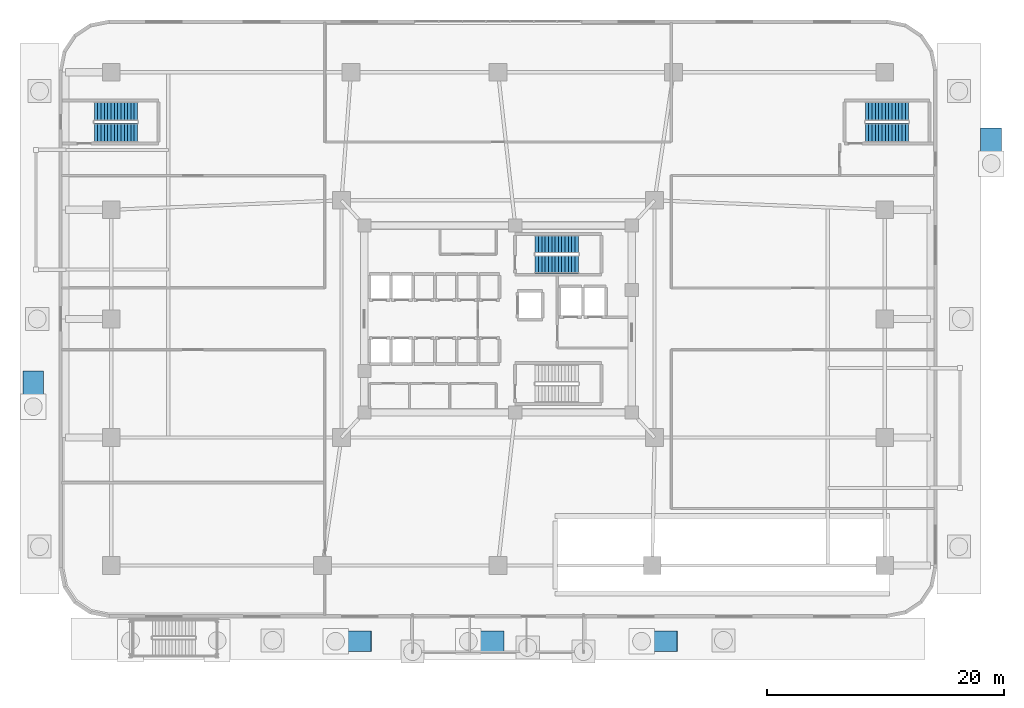
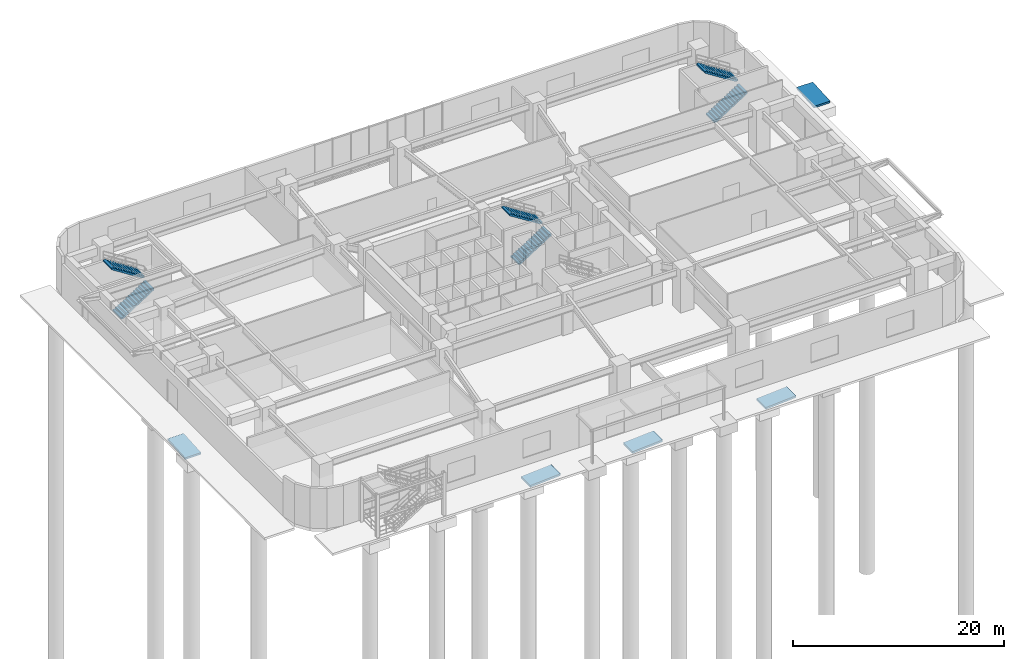
# One storey, part 15 of 18: 6 stair flights, 5 ramp flights, 8 elements without a shape of their own.
"""IFC4 building model written with IfcOpenShell, lengths in metres."""

from ifc_helpers import new_model, si_unit, direction, frame, origin, place, context, subcontext, project, spatial, polyline, outline, extrude, material, layer, layer_set, type_object, element, aggregate, save


model = new_model("IFC4")

# Units and contexts
model_context = context("Model", 3, precision=1e-05, world=origin(), true_north=direction((0.0, 1.0)))
body_context = subcontext(model_context, "Body", "Model", "MODEL_VIEW")
ifc_project = project(units=[si_unit("LENGTHUNIT", "METRE"), si_unit("AREAUNIT", "SQUARE_METRE"), si_unit("VOLUMEUNIT", "CUBIC_METRE"), si_unit("PLANEANGLEUNIT", "RADIAN"), si_unit("MASSUNIT", "GRAM", prefix="KILO")], contexts=[model_context])

# Site, building, storey
site_placement = place(None, origin())
site = spatial("IfcSite", under=ifc_project, at=site_placement, CompositionType="ELEMENT")
building_placement = place(site_placement, origin())
building = spatial("IfcBuilding", under=site, at=building_placement, Name="Zulverin Broadcast Headquarters", CompositionType="ELEMENT")
storey_placement = place(building_placement, origin())
storey = spatial("IfcBuildingStorey", under=building, at=storey_placement, Name="L00", CompositionType="ELEMENT", Elevation=0.0)

# Stair, stair flights
ifc_material = material(Name="Concrete C40/50", Category="concrete")
stair_type_1 = type_object("IfcStairType", Name="ST-CORE-1500", PredefinedType="HALF_TURN_STAIR", material=ifc_material)
stair_1_placement = place(storey_placement, origin())
stair_1 = element("IfcStair", 1, at=stair_1_placement, inside=storey, type_object=stair_type_1, Name="L00 Core Exit Stair ST-1", PredefinedType="HALF_TURN_STAIR")
stair_flight_type_1 = type_object("IfcStairFlightType", Name="SF-CORE-1500", PredefinedType="STRAIGHT", material=ifc_material)
stair_flight_1_placement = place(storey_placement, frame((40.1298828125, 29.800048828125, 0.0), z_axis=(0.0, 0.0, 1.0), x_axis=(1.0, 0.0, 0.0)))
stair_flight_1 = element("IfcStairFlight", 2, at=stair_flight_1_placement, type_object=stair_flight_type_1, Name="ST-1 flight 1", NumberOfRisers=14, NumberOfTreads=13, PredefinedType="STRAIGHT", RiserHeight=0.178571429, TreadLength=0.28, context=body_context, shape_type="SweptSolid", body=[
    extrude(outline(polyline([(0.0, 0.0), (0.0, 0.178466796875), (0.280029296875, 0.178466796875), (0.280029296875, 0.357177734375), (0.56005859375, 0.357177734375), (0.56005859375, 0.53564453125), (0.840087890625, 0.53564453125), (0.840087890625, 0.71435546875), (1.1201171875, 0.71435546875), (1.1201171875, 0.892822265625), (1.39990234375, 0.892822265625), (1.39990234375, 1.071533203125), (1.679931640625, 1.071533203125), (1.679931640625, 1.25), (1.9599609375, 1.25), (1.9599609375, 1.428466796875), (2.239990234375, 1.428466796875), (2.239990234375, 1.607177734375), (2.52001953125, 1.607177734375), (2.52001953125, 1.78564453125), (2.800048828125, 1.78564453125), (2.800048828125, 1.96435546875), (3.080078125, 1.96435546875), (3.080078125, 2.142822265625), (3.360107421875, 2.142822265625), (3.360107421875, 2.321533203125), (3.639892578125, 2.321533203125), (3.639892578125, 2.5), (3.639892578125, 2.1435546875), (0.27880859375, 0.0), (0.0, 0.0)])), frame((0.0, 0.75, 0.0), z_axis=(0.0, -1.0, 0.0), x_axis=(1.0, 0.0, 0.0)), (0.0, 0.0, 1.0), 1.5),
])
stair_flight_2_placement = place(storey_placement, frame((43.77001953125, 31.5, 2.5), z_axis=(0.0, 0.0, 1.0), x_axis=(-1.0, 0.0, 0.0)))
stair_flight_2 = element("IfcStairFlight", 3, at=stair_flight_2_placement, type_object=stair_flight_type_1, Name="ST-1 flight 2", NumberOfRisers=14, NumberOfTreads=13, PredefinedType="STRAIGHT", RiserHeight=0.178571429, TreadLength=0.28, context=body_context, shape_type="SweptSolid", body=[
    extrude(outline(polyline([(0.0, 0.0), (0.0, 0.178466796875), (0.280029296875, 0.178466796875), (0.280029296875, 0.357177734375), (0.56005859375, 0.357177734375), (0.56005859375, 0.53564453125), (0.840087890625, 0.53564453125), (0.840087890625, 0.71435546875), (1.1201171875, 0.71435546875), (1.1201171875, 0.892822265625), (1.39990234375, 0.892822265625), (1.39990234375, 1.071533203125), (1.679931640625, 1.071533203125), (1.679931640625, 1.25), (1.9599609375, 1.25), (1.9599609375, 1.428466796875), (2.239990234375, 1.428466796875), (2.239990234375, 1.607177734375), (2.52001953125, 1.607177734375), (2.52001953125, 1.78564453125), (2.800048828125, 1.78564453125), (2.800048828125, 1.96435546875), (3.080078125, 1.96435546875), (3.080078125, 2.142822265625), (3.360107421875, 2.142822265625), (3.360107421875, 2.321533203125), (3.639892578125, 2.321533203125), (3.639892578125, 2.5), (3.639892578125, 2.1435546875), (0.27880859375, 0.0), (0.0, 0.0)])), frame((0.0, 0.75, 0.0), z_axis=(0.0, -1.0, 0.0), x_axis=(1.0, 0.0, 0.0)), (0.0, 0.0, 1.0), 1.5),
])
aggregate(stair_1, [stair_flight_1, stair_flight_2])

stair_type_2 = type_object("IfcStairType", Name="ST-POD-1600", PredefinedType="HALF_TURN_STAIR", material=ifc_material)
stair_2_placement = place(storey_placement, origin())
stair_2 = element("IfcStair", 4, at=stair_2_placement, inside=storey, type_object=stair_type_2, Name="L00 Podium Exit Stair ST-3", PredefinedType="HALF_TURN_STAIR")
stair_flight_type_2 = type_object("IfcStairFlightType", Name="SF-POD-1600", PredefinedType="STRAIGHT", material=ifc_material)
stair_flight_3_placement = place(storey_placement, frame((2.969970703125, 40.89990234375, 0.0), z_axis=(0.0, 0.0, 1.0), x_axis=(1.0, 0.0, 0.0)))
stair_flight_3 = element("IfcStairFlight", 5, at=stair_flight_3_placement, type_object=stair_flight_type_2, Name="ST-3 flight 1", NumberOfRisers=14, NumberOfTreads=13, PredefinedType="STRAIGHT", RiserHeight=0.178571429, TreadLength=0.28, context=body_context, shape_type="SweptSolid", body=[
    extrude(outline(polyline([(0.0, 0.0), (0.0, 0.178466796875), (0.280029296875, 0.178466796875), (0.280029296875, 0.357177734375), (0.56005859375, 0.357177734375), (0.56005859375, 0.53564453125), (0.840087890625, 0.53564453125), (0.840087890625, 0.71435546875), (1.1201171875, 0.71435546875), (1.1201171875, 0.892822265625), (1.39990234375, 0.892822265625), (1.39990234375, 1.071533203125), (1.679931640625, 1.071533203125), (1.679931640625, 1.25), (1.9599609375, 1.25), (1.9599609375, 1.428466796875), (2.239990234375, 1.428466796875), (2.239990234375, 1.607177734375), (2.52001953125, 1.607177734375), (2.52001953125, 1.78564453125), (2.800048828125, 1.78564453125), (2.800048828125, 1.96435546875), (3.080078125, 1.96435546875), (3.080078125, 2.142822265625), (3.360107421875, 2.142822265625), (3.360107421875, 2.321533203125), (3.639892578125, 2.321533203125), (3.639892578125, 2.5), (3.639892578125, 2.1435546875), (0.27880859375, 0.0), (0.0, 0.0)])), frame((0.0, 0.800048828125, 0.0), z_axis=(0.0, -1.0, 0.0), x_axis=(1.0, 0.0, 0.0)), (0.0, 0.0, 1.0), 1.60009765625),
])
stair_flight_4_placement = place(storey_placement, frame((6.610107421875, 42.699951171875, 2.5), z_axis=(0.0, 0.0, 1.0), x_axis=(-1.0, 0.0, 0.0)))
stair_flight_4 = element("IfcStairFlight", 6, at=stair_flight_4_placement, type_object=stair_flight_type_2, Name="ST-3 flight 2", NumberOfRisers=14, NumberOfTreads=13, PredefinedType="STRAIGHT", RiserHeight=0.178571429, TreadLength=0.28, context=body_context, shape_type="SweptSolid", body=[
    extrude(outline(polyline([(0.0, 0.0), (0.0, 0.178466796875), (0.280029296875, 0.178466796875), (0.280029296875, 0.357177734375), (0.56005859375, 0.357177734375), (0.56005859375, 0.53564453125), (0.840087890625, 0.53564453125), (0.840087890625, 0.71435546875), (1.1201171875, 0.71435546875), (1.1201171875, 0.892822265625), (1.39990234375, 0.892822265625), (1.39990234375, 1.071533203125), (1.679931640625, 1.071533203125), (1.679931640625, 1.25), (1.9599609375, 1.25), (1.9599609375, 1.428466796875), (2.239990234375, 1.428466796875), (2.239990234375, 1.607177734375), (2.52001953125, 1.607177734375), (2.52001953125, 1.78564453125), (2.800048828125, 1.78564453125), (2.800048828125, 1.96435546875), (3.080078125, 1.96435546875), (3.080078125, 2.142822265625), (3.360107421875, 2.142822265625), (3.360107421875, 2.321533203125), (3.639892578125, 2.321533203125), (3.639892578125, 2.5), (3.639892578125, 2.1435546875), (0.27880859375, 0.0), (0.0, 0.0)])), frame((0.0, 0.800048828125, 0.0), z_axis=(0.0, -1.0, 0.0), x_axis=(1.0, 0.0, 0.0)), (0.0, 0.0, 1.0), 1.60009765625),
])
aggregate(stair_2, [stair_flight_3, stair_flight_4])

stair_3_placement = place(storey_placement, origin())
stair_3 = element("IfcStair", 7, at=stair_3_placement, inside=storey, type_object=stair_type_2, Name="L00 Podium Exit Stair ST-4", PredefinedType="HALF_TURN_STAIR")
stair_flight_5_placement = place(storey_placement, frame((67.969970703125, 40.89990234375, 0.0), z_axis=(0.0, 0.0, 1.0), x_axis=(1.0, 0.0, 0.0)))
stair_flight_5 = element("IfcStairFlight", 8, at=stair_flight_5_placement, type_object=stair_flight_type_2, Name="ST-4 flight 1", NumberOfRisers=14, NumberOfTreads=13, PredefinedType="STRAIGHT", RiserHeight=0.178571429, TreadLength=0.28, context=body_context, shape_type="SweptSolid", body=[
    extrude(outline(polyline([(0.0, 0.0), (0.0, 0.178466796875), (0.280029296875, 0.178466796875), (0.280029296875, 0.357177734375), (0.56005859375, 0.357177734375), (0.56005859375, 0.53564453125), (0.840087890625, 0.53564453125), (0.840087890625, 0.71435546875), (1.1201171875, 0.71435546875), (1.1201171875, 0.892822265625), (1.39990234375, 0.892822265625), (1.39990234375, 1.071533203125), (1.679931640625, 1.071533203125), (1.679931640625, 1.25), (1.9599609375, 1.25), (1.9599609375, 1.428466796875), (2.239990234375, 1.428466796875), (2.239990234375, 1.607177734375), (2.52001953125, 1.607177734375), (2.52001953125, 1.78564453125), (2.800048828125, 1.78564453125), (2.800048828125, 1.96435546875), (3.080078125, 1.96435546875), (3.080078125, 2.142822265625), (3.360107421875, 2.142822265625), (3.360107421875, 2.321533203125), (3.639892578125, 2.321533203125), (3.639892578125, 2.5), (3.639892578125, 2.1435546875), (0.27880859375, 0.0), (0.0, 0.0)])), frame((0.0, 0.800048828125, 0.0), z_axis=(0.0, -1.0, 0.0), x_axis=(1.0, 0.0, 0.0)), (0.0, 0.0, 1.0), 1.60009765625),
])
stair_flight_6_placement = place(storey_placement, frame((71.610107421875, 42.699951171875, 2.5), z_axis=(0.0, 0.0, 1.0), x_axis=(-1.0, 0.0, 0.0)))
stair_flight_6 = element("IfcStairFlight", 9, at=stair_flight_6_placement, type_object=stair_flight_type_2, Name="ST-4 flight 2", NumberOfRisers=14, NumberOfTreads=13, PredefinedType="STRAIGHT", RiserHeight=0.178571429, TreadLength=0.28, context=body_context, shape_type="SweptSolid", body=[
    extrude(outline(polyline([(0.0, 0.0), (0.0, 0.178466796875), (0.280029296875, 0.178466796875), (0.280029296875, 0.357177734375), (0.56005859375, 0.357177734375), (0.56005859375, 0.53564453125), (0.840087890625, 0.53564453125), (0.840087890625, 0.71435546875), (1.1201171875, 0.71435546875), (1.1201171875, 0.892822265625), (1.39990234375, 0.892822265625), (1.39990234375, 1.071533203125), (1.679931640625, 1.071533203125), (1.679931640625, 1.25), (1.9599609375, 1.25), (1.9599609375, 1.428466796875), (2.239990234375, 1.428466796875), (2.239990234375, 1.607177734375), (2.52001953125, 1.607177734375), (2.52001953125, 1.78564453125), (2.800048828125, 1.78564453125), (2.800048828125, 1.96435546875), (3.080078125, 1.96435546875), (3.080078125, 2.142822265625), (3.360107421875, 2.142822265625), (3.360107421875, 2.321533203125), (3.639892578125, 2.321533203125), (3.639892578125, 2.5), (3.639892578125, 2.1435546875), (0.27880859375, 0.0), (0.0, 0.0)])), frame((0.0, 0.800048828125, 0.0), z_axis=(0.0, -1.0, 0.0), x_axis=(1.0, 0.0, 0.0)), (0.0, 0.0, 1.0), 1.60009765625),
])
aggregate(stair_3, [stair_flight_5, stair_flight_6])

# Ramp, ramp flight
ramp_type = type_object("IfcRampType", Name="RMP-ACC-01", PredefinedType="STRAIGHT_RUN_RAMP", material=ifc_material)
ramp_1_placement = place(storey_placement, origin())
ramp_1 = element("IfcRamp", 10, at=ramp_1_placement, inside=storey, type_object=ramp_type, material=ifc_material, Name="South West Entrance Accessible Ramp AR-1", PredefinedType="STRAIGHT_RUN_RAMP")
ifc_layer = layer(ifc_material, 0.219970703125, Name="Concrete C40/50", Category="concrete")
ifc_layer_set = layer_set([ifc_layer], Name="Concrete C40/50")
ramp_flight_type = type_object("IfcRampFlightType", Name="RMP-ACC-FLT", PredefinedType="STRAIGHT", material=ifc_layer_set)
ramp_flight_1_placement = place(storey_placement, frame((23.0, -2.85009765625, -0.219970703125), z_axis=(-0.06650921179, 0.0, 0.997785811057), x_axis=(0.997785811057, 0.0, 0.06650921179)))
ramp_flight_1 = element("IfcRampFlight", 11, at=ramp_flight_1_placement, type_object=ramp_flight_type, material=ifc_material, Name="South West Entrance Accessible Ramp AR-1 Flight", PredefinedType="STRAIGHT", context=body_context, shape_type="SweptSolid", body=[
    extrude(outline(polyline([(0.0, 0.0), (3.307371974580799, 0.0), (3.307371974580799, 1.75), (0.0, 1.75), (0.0, 0.0)])), origin(), (0.0, 0.0, -1.0), 0.219970703125),
])
aggregate(ramp_1, [ramp_flight_1])

ramp_2_placement = place(storey_placement, origin())
ramp_2 = element("IfcRamp", 12, at=ramp_2_placement, inside=storey, type_object=ramp_type, material=ifc_material, Name="South Central Entrance Accessible Ramp AR-2", PredefinedType="STRAIGHT_RUN_RAMP")
ramp_flight_2_placement = place(storey_placement, frame((34.199951171875, -2.85009765625, -0.219970703125), z_axis=(-0.06650921179, 0.0, 0.997785811057), x_axis=(0.997785811057, 0.0, 0.06650921179)))
ramp_flight_2 = element("IfcRampFlight", 13, at=ramp_flight_2_placement, type_object=ramp_flight_type, material=ifc_material, Name="South Central Entrance Accessible Ramp AR-2 Flight", PredefinedType="STRAIGHT", context=body_context, shape_type="SweptSolid", body=[
    extrude(outline(polyline([(0.0, 0.0), (3.307371974580799, 0.0), (3.307371974580799, 1.75), (0.0, 1.75), (0.0, 0.0)])), origin(), (0.0, 0.0, -1.0), 0.219970703125),
])
aggregate(ramp_2, [ramp_flight_2])

ramp_3_placement = place(storey_placement, origin())
ramp_3 = element("IfcRamp", 14, at=ramp_3_placement, inside=storey, type_object=ramp_type, material=ifc_material, Name="South East Entrance Accessible Ramp AR-3", PredefinedType="STRAIGHT_RUN_RAMP")
ramp_flight_3_placement = place(storey_placement, frame((48.800048828125, -2.85009765625, -0.219970703125), z_axis=(-0.06650921179, 0.0, 0.997785811057), x_axis=(0.997785811057, 0.0, 0.06650921179)))
ramp_flight_3 = element("IfcRampFlight", 15, at=ramp_flight_3_placement, type_object=ramp_flight_type, material=ifc_material, Name="South East Entrance Accessible Ramp AR-3 Flight", PredefinedType="STRAIGHT", context=body_context, shape_type="SweptSolid", body=[
    extrude(outline(polyline([(0.0, 0.0), (3.307371974580799, 0.0), (3.307371974580799, 1.75), (0.0, 1.75), (0.0, 0.0)])), origin(), (0.0, 0.0, -1.0), 0.219970703125),
])
aggregate(ramp_3, [ramp_flight_3])

ramp_4_placement = place(storey_placement, origin())
ramp_4 = element("IfcRamp", 16, at=ramp_4_placement, inside=storey, type_object=ramp_type, material=ifc_material, Name="West Forecourt Accessible Ramp AR-4", PredefinedType="STRAIGHT_RUN_RAMP")
ramp_flight_4_placement = place(storey_placement, frame((-3.050048828125, 17.5, -0.219970703125), z_axis=(0.0, -0.06650921179, 0.997785811057), x_axis=(0.0, 0.997785811057, 0.06650921179)))
ramp_flight_4 = element("IfcRampFlight", 17, at=ramp_flight_4_placement, type_object=ramp_flight_type, material=ifc_material, Name="West Forecourt Accessible Ramp AR-4 Flight", PredefinedType="STRAIGHT", context=body_context, shape_type="SweptSolid", body=[
    extrude(outline(polyline([(0.0, 0.0), (3.307371974580799, 0.0), (3.307371974580799, -1.75), (0.0, -1.75), (0.0, 0.0)])), origin(), (0.0, 0.0, -1.0), 0.219970703125),
])
aggregate(ramp_4, [ramp_flight_4])

ramp_5_placement = place(storey_placement, origin())
ramp_5 = element("IfcRamp", 18, at=ramp_5_placement, inside=storey, type_object=ramp_type, material=ifc_material, Name="East Forecourt Accessible Ramp AR-5", PredefinedType="STRAIGHT_RUN_RAMP")
ramp_flight_5_placement = place(storey_placement, frame((77.679931640625, 38.0, -0.219970703125), z_axis=(0.0, -0.06650921179, 0.997785811057), x_axis=(0.0, 0.997785811057, 0.06650921179)))
ramp_flight_5 = element("IfcRampFlight", 19, at=ramp_flight_5_placement, type_object=ramp_flight_type, material=ifc_material, Name="East Forecourt Accessible Ramp AR-5 Flight", PredefinedType="STRAIGHT", context=body_context, shape_type="SweptSolid", body=[
    extrude(outline(polyline([(0.0, 0.0), (3.307371974580799, 0.0), (3.307371974580799, -1.77001953125), (0.0, -1.77001953125), (0.0, 0.0)])), origin(), (0.0, 0.0, -1.0), 0.219970703125),
])
aggregate(ramp_5, [ramp_flight_5])

save(model, "model.ifc")
